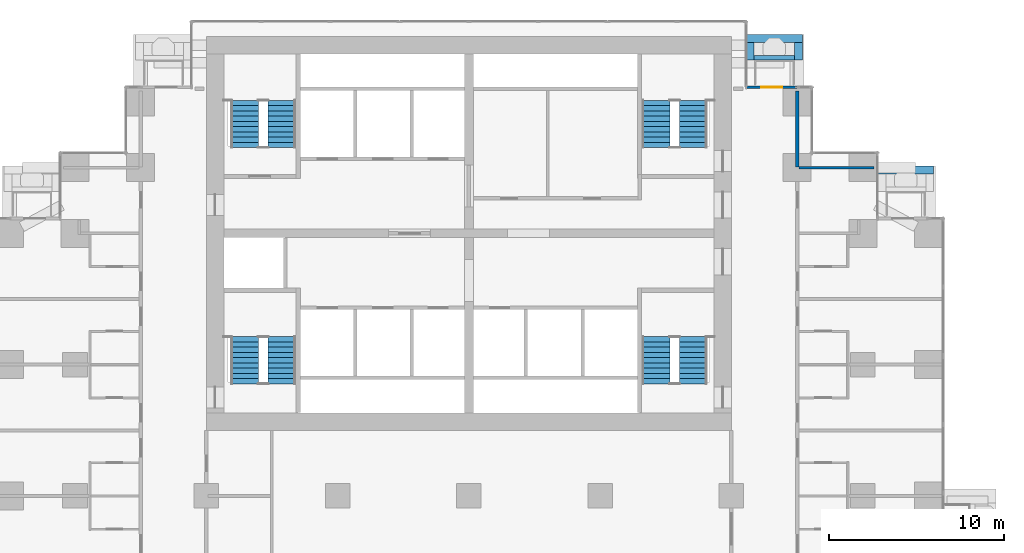
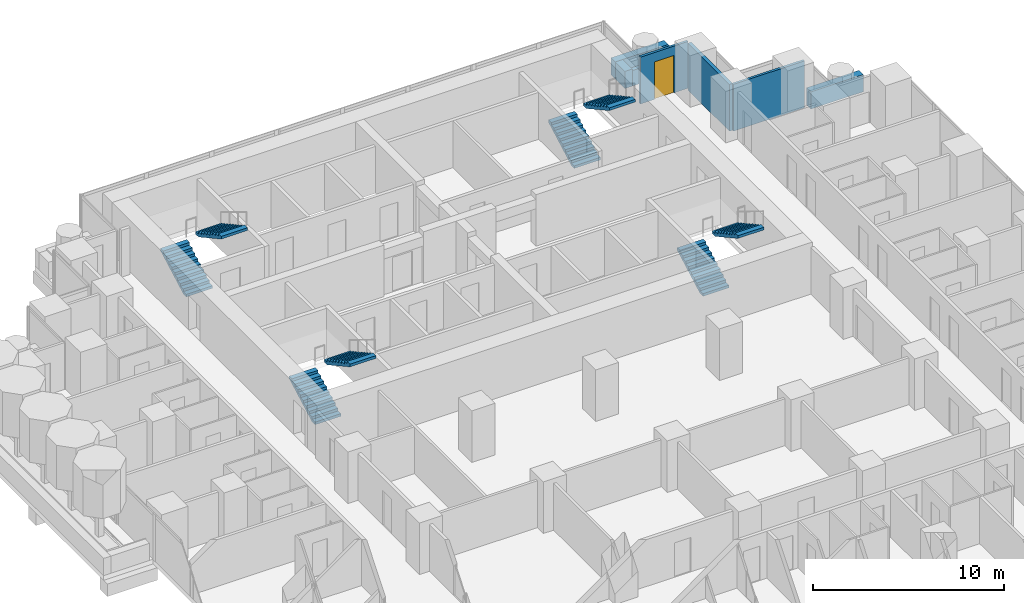
# One storey, part 15 of 18: 8 stair flights, 8 walls, 1 door, 1 opening, 4 elements without a shape of their own.
"""IFC4 building model written with IfcOpenShell, lengths in metres."""

from ifc_helpers import new_model, si_unit, direction, frame, frame_2d, origin, place, context, subcontext, project, spatial, polyline, rectangle, outline, extrude, material, layer, layer_set, type_object, element, fill, aggregate, save


model = new_model("IFC4")

# Units and contexts
model_context = context("Model", 3, precision=1e-05, world=origin(), true_north=direction((0.0, 1.0)))
body_context = subcontext(model_context, "Body", "Model", "MODEL_VIEW")
ifc_project = project(units=[si_unit("LENGTHUNIT", "METRE"), si_unit("AREAUNIT", "SQUARE_METRE"), si_unit("VOLUMEUNIT", "CUBIC_METRE"), si_unit("PLANEANGLEUNIT", "RADIAN"), si_unit("MASSUNIT", "GRAM", prefix="KILO")], contexts=[model_context])

# Site, building, storey
site_placement = place(None, origin())
site = spatial("IfcSite", under=ifc_project, at=site_placement, CompositionType="ELEMENT")
building_placement = place(site_placement, origin())
building = spatial("IfcBuilding", under=site, at=building_placement, Name="Pilkhan Gate Tower", CompositionType="ELEMENT")
storey_placement = place(building_placement, frame((0.0, 0.0, 42.800048828125)))
storey = spatial("IfcBuildingStorey", under=building, at=storey_placement, Name="L07", CompositionType="ELEMENT", Elevation=42.800048828125)

# Walls
ifc_material_1 = material(Name="Concrete C40/50", Category="concrete")
ifc_layer_1 = layer(ifc_material_1, 0.25)
ifc_layer_set_1 = layer_set([ifc_layer_1], Name="Balcony planter BP250")
wall_type_1 = type_object("IfcWallType", Name="Balcony planter BP250", PredefinedType="USERDEFINED", material=ifc_layer_set_1)
wall_1_placement = place(storey_placement, frame((91.300048828125, 92.52490234375, 0.0), z_axis=(0.0, 0.0, 1.0), x_axis=(1.0, 0.0, 0.0)))
element("IfcWall", 1, at=wall_1_placement, inside=storey, type_object=wall_type_1, Name="Balcony planter L07 N", ObjectType="BALCONY PLANTER", PredefinedType="USERDEFINED", context=body_context, shape_type="SweptSolid", body=[
    extrude(rectangle(XDim=2.300048828125, YDim=0.25, at=frame_2d((1.14990234375, 0.0))), origin(), (0.0, 0.0, 1.0), 1.0),
])
ifc_material_2 = material(Name="Board-marked Concrete C40/50", Category="concrete")
ifc_layer_2 = layer(ifc_material_2, 0.449951171875)
ifc_layer_set_2 = layer_set([ifc_layer_2], Name="Balcony planter lip BL450")
wall_type_2 = type_object("IfcWallType", Name="Balcony planter lip BL450", PredefinedType="USERDEFINED", material=ifc_layer_set_2)
wall_2_placement = place(storey_placement, frame((90.85009765625, 93.625, 0.0), z_axis=(0.0, 0.0, 1.0), x_axis=(1.0, 0.0, 0.0)))
element("IfcWall", 2, at=wall_2_placement, inside=storey, type_object=wall_type_2, Name="Balcony planter L07 N", ObjectType="BALCONY PLANTER", PredefinedType="USERDEFINED", context=body_context, shape_type="SweptSolid", body=[
    extrude(rectangle(XDim=3.199951171875, YDim=0.449951171875, at=frame_2d((1.60009765625, 0.0))), origin(), (0.0, 0.0, 1.0), 1.099853515625),
])
for number, where, z_axis, x_axis, name in (
    (3, (91.074951171875, 92.39990234375, 0.0), (0.0, 0.0, 1.0), (0.0, 1.0, 0.0), "Balcony planter L07 N"),
    (4, (93.824951171875, 92.39990234375, 0.0), (0.0, 0.0, 1.0), (0.0, 1.0, 0.0), "Balcony planter L07 N"),
):
    element("IfcWall", number, at=place(storey_placement, frame(where, z_axis=z_axis, x_axis=x_axis)), inside=storey, type_object=wall_type_2, Name=name, ObjectType="BALCONY PLANTER", PredefinedType="USERDEFINED", context=body_context, shape_type="SweptSolid", body=[
        extrude(rectangle(XDim=1.0, YDim=0.449951171875, at=frame_2d((0.5, 0.0))), origin(), (0.0, 0.0, 1.0), 1.099853515625),
    ])
wall_3_placement = place(storey_placement, frame((98.3701171875, 86.125, 0.0), z_axis=(0.0, 0.0, 1.0), x_axis=(1.0, 0.0, 0.0)))
element("IfcWall", 5, at=wall_3_placement, inside=storey, type_object=wall_type_2, Name="Balcony planter L07 N", ObjectType="BALCONY PLANTER", PredefinedType="USERDEFINED", context=body_context, shape_type="SweptSolid", body=[
    extrude(rectangle(XDim=3.179931640625, YDim=0.449951171875, at=frame_2d((1.58984375, 0.0))), origin(), (0.0, 0.0, 1.0), 1.099853515625),
])
ifc_material_3 = material(Name="Dense blockwork", Category="masonry")
ifc_layer_3 = layer(ifc_material_3, 0.199951171875)
ifc_layer_set_3 = layer_set([ifc_layer_3], Name="Corridor wall FW200")
wall_type_3 = type_object("IfcWallType", Name="Corridor wall FW200", PredefinedType="PARTITIONING", material=ifc_layer_set_3)
wall_4_placement = place(storey_placement, frame((93.75, 86.280029296875, 0.0), z_axis=(0.0, 0.0, 1.0), x_axis=(0.0, 1.0, 0.0)))
element("IfcWall", 6, at=wall_4_placement, inside=storey, type_object=wall_type_3, Name="Partition L07", PredefinedType="PARTITIONING", context=body_context, shape_type="SweptSolid", body=[
    extrude(rectangle(XDim=4.364990234375, YDim=0.199951171875, at=frame_2d((2.1826171875, 0.0))), origin(), (0.0, 0.0, 1.0), 3.0),
])

# Wall, opening, door
ifc_material_4 = material(Name="Pale anodised aluminium, clear laminated glazing", Category="aluminium")
ifc_layer_4 = layer(ifc_material_4, 0.14990234375)
ifc_layer_set_4 = layer_set([ifc_layer_4], Name="Facade infill wall IW150")
wall_type_4 = type_object("IfcWallType", Name="Facade infill wall IW150", PredefinedType="SOLIDWALL", material=ifc_layer_set_4)
wall_5_placement = place(storey_placement, frame((90.844970703125, 90.844970703125, 0.0), z_axis=(0.0, 0.0, 1.0), x_axis=(1.0, 0.0, 0.0)))
wall_5 = element("IfcWall", 7, at=wall_5_placement, inside=storey, type_object=wall_type_4, Name="Infill wall L07 N", PredefinedType="SOLIDWALL", context=body_context, shape_type="SweptSolid", body=[
    extrude(rectangle(XDim=2.905029296875, YDim=0.14990234375, at=frame_2d((1.45263671875, 0.0))), origin(), (0.0, 0.0, 1.0), 3.0),
])
opening_placement = place(wall_5_placement, frame((0.8525390625, 0.0, 0.0)))
opening = element("IfcOpeningElement", 8, at=opening_placement, cuts=wall_5, Name="Opening D1", PredefinedType="OPENING", context=body_context, shape_type="SweptSolid", body=[
    extrude(rectangle(XDim=1.199951171875, YDim=2.39990234375, at=frame_2d((0.60009765625, 1.199951171875))), frame((0.0, 0.0849609375, 0.0), z_axis=(0.0, -1.0, 0.0), x_axis=(1.0, 0.0, 0.0)), (0.0, 0.0, 1.0), 0.169921875),
])
ifc_material_5 = material(Name="Pale anodised aluminium, clear glazing", Category="aluminium")
door_type = type_object("IfcDoorType", Name="Balcony door D1 1200x2400", OperationType="SINGLE_SWING_LEFT", PredefinedType="DOOR", material=ifc_material_5)
door_placement = place(opening_placement, origin())
door = element("IfcDoor", 9, at=door_placement, inside=storey, type_object=door_type, Name="Balcony door L07", OperationType="SINGLE_SWING_LEFT", OverallHeight=2.39990234375, OverallWidth=1.199951171875, PredefinedType="DOOR", context=body_context, shape_type="SweptSolid", body=[
    extrude(rectangle(XDim=1.199951171875, YDim=2.39990234375, at=frame_2d((0.60009765625, 1.199951171875))), frame((0.0, 0.02490234375, 0.0), z_axis=(0.0, -1.0, 0.0), x_axis=(1.0, 0.0, 0.0)), (0.0, 0.0, 1.0), 0.050048828125),
])
fill(opening, door)

# Wall
ifc_material_6 = material(Name="Blockwork partition, plastered both sides", Category="masonry")
ifc_layer_5 = layer(ifc_material_6, 0.14990234375)
ifc_layer_set_5 = layer_set([ifc_layer_5], Name="Partition PW150")
wall_type_5 = type_object("IfcWallType", Name="Partition PW150", PredefinedType="PARTITIONING", material=ifc_layer_set_5)
wall_6_placement = place(storey_placement, frame((93.85009765625, 86.25, 0.0), z_axis=(0.0, 0.0, 1.0), x_axis=(1.0, 0.0, 0.0)))
element("IfcWall", 10, at=wall_6_placement, inside=storey, type_object=wall_type_5, Name="Partition L07", PredefinedType="PARTITIONING", context=body_context, shape_type="SweptSolid", body=[
    extrude(rectangle(XDim=4.294921875, YDim=0.14990234375, at=frame_2d((2.1474609375, 0.0))), origin(), (0.0, 0.0, 1.0), 3.0),
])

# Stair, stair flights
ifc_material_7 = material(Name="Concrete C40/50 precast", Category="concrete")
stair_type_1 = type_object("IfcStairType", Name="Stair ST1 165x300", PredefinedType="HALF_TURN_STAIR", material=ifc_material_7)
stair_1_placement = place(storey_placement, origin())
stair_1 = element("IfcStair", 11, at=stair_1_placement, inside=storey, type_object=stair_type_1, Name="Stair ST1 L07", PredefinedType="HALF_TURN_STAIR")
stair_flight_type_1 = type_object("IfcStairFlightType", Name="Stair flight ST1 165x300x10", PredefinedType="STRAIGHT", material=ifc_material_7)
stair_flight_1_placement = place(storey_placement, frame((85.68994140625, 73.89990234375, 0.0), z_axis=(0.0, 0.0, 1.0), x_axis=(0.0, 1.0, 0.0)))
stair_flight_1 = element("IfcStairFlight", 12, at=stair_flight_1_placement, type_object=stair_flight_type_1, Name="ST1 flight 1", NumberOfRisers=10, NumberOfTreads=9, PredefinedType="STRAIGHT", RiserHeight=0.165, TreadLength=0.3, context=body_context, shape_type="SweptSolid", body=[
    extrude(outline(polyline([(0.0, 0.0), (0.0, 0.1650390625), (0.300048828125, 0.1650390625), (0.300048828125, 0.330078125), (0.60009765625, 0.330078125), (0.60009765625, 0.4951171875), (0.89990234375, 0.4951171875), (0.89990234375, 0.659912109375), (1.199951171875, 0.659912109375), (1.199951171875, 0.824951171875), (1.5, 0.824951171875), (1.5, 0.989990234375), (1.800048828125, 0.989990234375), (1.800048828125, 1.155029296875), (2.10009765625, 1.155029296875), (2.10009765625, 1.320068359375), (2.39990234375, 1.320068359375), (2.39990234375, 1.485107421875), (2.699951171875, 1.485107421875), (2.699951171875, 1.64990234375), (2.699951171875, 1.31396484375), (0.31103515625, 0.0), (0.0, 0.0)])), frame((0.0, 0.7900390625, 0.0), z_axis=(0.0, -1.0, 0.0), x_axis=(1.0, 0.0, 0.0)), (0.0, 0.0, 1.0), 1.580078125),
])
stair_flight_2_placement = place(storey_placement, frame((87.81005859375, 76.60009765625, 1.64990234375), z_axis=(0.0, 0.0, 1.0), x_axis=(0.0, -1.0, 0.0)))
stair_flight_2 = element("IfcStairFlight", 13, at=stair_flight_2_placement, type_object=stair_flight_type_1, Name="ST1 flight 2", NumberOfRisers=10, NumberOfTreads=9, PredefinedType="STRAIGHT", RiserHeight=0.165, TreadLength=0.3, context=body_context, shape_type="SweptSolid", body=[
    extrude(outline(polyline([(0.0, 0.0), (0.0, 0.1650390625), (0.300048828125, 0.1650390625), (0.300048828125, 0.330078125), (0.60009765625, 0.330078125), (0.60009765625, 0.4951171875), (0.89990234375, 0.4951171875), (0.89990234375, 0.659912109375), (1.199951171875, 0.659912109375), (1.199951171875, 0.824951171875), (1.5, 0.824951171875), (1.5, 0.989990234375), (1.800048828125, 0.989990234375), (1.800048828125, 1.155029296875), (2.10009765625, 1.155029296875), (2.10009765625, 1.320068359375), (2.39990234375, 1.320068359375), (2.39990234375, 1.485107421875), (2.699951171875, 1.485107421875), (2.699951171875, 1.64990234375), (2.699951171875, 1.31396484375), (0.31103515625, 0.0), (0.0, 0.0)])), frame((0.0, 0.7900390625, 0.0), z_axis=(0.0, -1.0, 0.0), x_axis=(1.0, 0.0, 0.0)), (0.0, 0.0, 1.0), 1.580078125),
])
aggregate(stair_1, [stair_flight_1, stair_flight_2])

stair_type_2 = type_object("IfcStairType", Name="Stair ST2 165x300", PredefinedType="HALF_TURN_STAIR", material=ifc_material_7)
stair_2_placement = place(storey_placement, origin())
stair_2 = element("IfcStair", 14, at=stair_2_placement, inside=storey, type_object=stair_type_2, Name="Stair ST2 L07", PredefinedType="HALF_TURN_STAIR")
stair_flight_type_2 = type_object("IfcStairFlightType", Name="Stair flight ST2 165x300x10", PredefinedType="STRAIGHT", material=ifc_material_7)
stair_flight_3_placement = place(storey_placement, frame((62.18994140625, 73.89990234375, 0.0), z_axis=(0.0, 0.0, 1.0), x_axis=(0.0, 1.0, 0.0)))
stair_flight_3 = element("IfcStairFlight", 15, at=stair_flight_3_placement, type_object=stair_flight_type_2, Name="ST2 flight 1", NumberOfRisers=10, NumberOfTreads=9, PredefinedType="STRAIGHT", RiserHeight=0.165, TreadLength=0.3, context=body_context, shape_type="SweptSolid", body=[
    extrude(outline(polyline([(0.0, 0.0), (0.0, 0.1650390625), (0.300048828125, 0.1650390625), (0.300048828125, 0.330078125), (0.60009765625, 0.330078125), (0.60009765625, 0.4951171875), (0.89990234375, 0.4951171875), (0.89990234375, 0.659912109375), (1.199951171875, 0.659912109375), (1.199951171875, 0.824951171875), (1.5, 0.824951171875), (1.5, 0.989990234375), (1.800048828125, 0.989990234375), (1.800048828125, 1.155029296875), (2.10009765625, 1.155029296875), (2.10009765625, 1.320068359375), (2.39990234375, 1.320068359375), (2.39990234375, 1.485107421875), (2.699951171875, 1.485107421875), (2.699951171875, 1.64990234375), (2.699951171875, 1.31396484375), (0.31103515625, 0.0), (0.0, 0.0)])), frame((0.0, 0.7900390625, 0.0), z_axis=(0.0, -1.0, 0.0), x_axis=(1.0, 0.0, 0.0)), (0.0, 0.0, 1.0), 1.580078125),
])
stair_flight_4_placement = place(storey_placement, frame((64.31005859375, 76.60009765625, 1.64990234375), z_axis=(0.0, 0.0, 1.0), x_axis=(0.0, -1.0, 0.0)))
stair_flight_4 = element("IfcStairFlight", 16, at=stair_flight_4_placement, type_object=stair_flight_type_2, Name="ST2 flight 2", NumberOfRisers=10, NumberOfTreads=9, PredefinedType="STRAIGHT", RiserHeight=0.165, TreadLength=0.3, context=body_context, shape_type="SweptSolid", body=[
    extrude(outline(polyline([(0.0, 0.0), (0.0, 0.1650390625), (0.300048828125, 0.1650390625), (0.300048828125, 0.330078125), (0.60009765625, 0.330078125), (0.60009765625, 0.4951171875), (0.89990234375, 0.4951171875), (0.89990234375, 0.659912109375), (1.199951171875, 0.659912109375), (1.199951171875, 0.824951171875), (1.5, 0.824951171875), (1.5, 0.989990234375), (1.800048828125, 0.989990234375), (1.800048828125, 1.155029296875), (2.10009765625, 1.155029296875), (2.10009765625, 1.320068359375), (2.39990234375, 1.320068359375), (2.39990234375, 1.485107421875), (2.699951171875, 1.485107421875), (2.699951171875, 1.64990234375), (2.699951171875, 1.31396484375), (0.31103515625, 0.0), (0.0, 0.0)])), frame((0.0, 0.7900390625, 0.0), z_axis=(0.0, -1.0, 0.0), x_axis=(1.0, 0.0, 0.0)), (0.0, 0.0, 1.0), 1.580078125),
])
aggregate(stair_2, [stair_flight_3, stair_flight_4])

stair_type_3 = type_object("IfcStairType", Name="Stair ST3 165x300", PredefinedType="HALF_TURN_STAIR", material=ifc_material_7)
stair_3_placement = place(storey_placement, origin())
stair_3 = element("IfcStair", 17, at=stair_3_placement, inside=storey, type_object=stair_type_3, Name="Stair ST3 L07", PredefinedType="HALF_TURN_STAIR")
stair_flight_type_3 = type_object("IfcStairFlightType", Name="Stair flight ST3 165x300x10", PredefinedType="STRAIGHT", material=ifc_material_7)
stair_flight_5_placement = place(storey_placement, frame((62.18994140625, 87.39990234375, 0.0), z_axis=(0.0, 0.0, 1.0), x_axis=(0.0, 1.0, 0.0)))
stair_flight_5 = element("IfcStairFlight", 18, at=stair_flight_5_placement, type_object=stair_flight_type_3, Name="ST3 flight 1", NumberOfRisers=10, NumberOfTreads=9, PredefinedType="STRAIGHT", RiserHeight=0.165, TreadLength=0.3, context=body_context, shape_type="SweptSolid", body=[
    extrude(outline(polyline([(0.0, 0.0), (0.0, 0.1650390625), (0.300048828125, 0.1650390625), (0.300048828125, 0.330078125), (0.60009765625, 0.330078125), (0.60009765625, 0.4951171875), (0.89990234375, 0.4951171875), (0.89990234375, 0.659912109375), (1.199951171875, 0.659912109375), (1.199951171875, 0.824951171875), (1.5, 0.824951171875), (1.5, 0.989990234375), (1.800048828125, 0.989990234375), (1.800048828125, 1.155029296875), (2.10009765625, 1.155029296875), (2.10009765625, 1.320068359375), (2.39990234375, 1.320068359375), (2.39990234375, 1.485107421875), (2.699951171875, 1.485107421875), (2.699951171875, 1.64990234375), (2.699951171875, 1.31396484375), (0.31103515625, 0.0), (0.0, 0.0)])), frame((0.0, 0.7900390625, 0.0), z_axis=(0.0, -1.0, 0.0), x_axis=(1.0, 0.0, 0.0)), (0.0, 0.0, 1.0), 1.580078125),
])
stair_flight_6_placement = place(storey_placement, frame((64.31005859375, 90.10009765625, 1.64990234375), z_axis=(0.0, 0.0, 1.0), x_axis=(0.0, -1.0, 0.0)))
stair_flight_6 = element("IfcStairFlight", 19, at=stair_flight_6_placement, type_object=stair_flight_type_3, Name="ST3 flight 2", NumberOfRisers=10, NumberOfTreads=9, PredefinedType="STRAIGHT", RiserHeight=0.165, TreadLength=0.3, context=body_context, shape_type="SweptSolid", body=[
    extrude(outline(polyline([(0.0, 0.0), (0.0, 0.1650390625), (0.300048828125, 0.1650390625), (0.300048828125, 0.330078125), (0.60009765625, 0.330078125), (0.60009765625, 0.4951171875), (0.89990234375, 0.4951171875), (0.89990234375, 0.659912109375), (1.199951171875, 0.659912109375), (1.199951171875, 0.824951171875), (1.5, 0.824951171875), (1.5, 0.989990234375), (1.800048828125, 0.989990234375), (1.800048828125, 1.155029296875), (2.10009765625, 1.155029296875), (2.10009765625, 1.320068359375), (2.39990234375, 1.320068359375), (2.39990234375, 1.485107421875), (2.699951171875, 1.485107421875), (2.699951171875, 1.64990234375), (2.699951171875, 1.31396484375), (0.31103515625, 0.0), (0.0, 0.0)])), frame((0.0, 0.7900390625, 0.0), z_axis=(0.0, -1.0, 0.0), x_axis=(1.0, 0.0, 0.0)), (0.0, 0.0, 1.0), 1.580078125),
])
aggregate(stair_3, [stair_flight_5, stair_flight_6])

stair_type_4 = type_object("IfcStairType", Name="Stair ST4 165x300", PredefinedType="HALF_TURN_STAIR", material=ifc_material_7)
stair_4_placement = place(storey_placement, origin())
stair_4 = element("IfcStair", 20, at=stair_4_placement, inside=storey, type_object=stair_type_4, Name="Stair ST4 L07", PredefinedType="HALF_TURN_STAIR")
stair_flight_type_4 = type_object("IfcStairFlightType", Name="Stair flight ST4 165x300x10", PredefinedType="STRAIGHT", material=ifc_material_7)
stair_flight_7_placement = place(storey_placement, frame((85.68994140625, 87.39990234375, 0.0), z_axis=(0.0, 0.0, 1.0), x_axis=(0.0, 1.0, 0.0)))
stair_flight_7 = element("IfcStairFlight", 21, at=stair_flight_7_placement, type_object=stair_flight_type_4, Name="ST4 flight 1", NumberOfRisers=10, NumberOfTreads=9, PredefinedType="STRAIGHT", RiserHeight=0.165, TreadLength=0.3, context=body_context, shape_type="SweptSolid", body=[
    extrude(outline(polyline([(0.0, 0.0), (0.0, 0.1650390625), (0.300048828125, 0.1650390625), (0.300048828125, 0.330078125), (0.60009765625, 0.330078125), (0.60009765625, 0.4951171875), (0.89990234375, 0.4951171875), (0.89990234375, 0.659912109375), (1.199951171875, 0.659912109375), (1.199951171875, 0.824951171875), (1.5, 0.824951171875), (1.5, 0.989990234375), (1.800048828125, 0.989990234375), (1.800048828125, 1.155029296875), (2.10009765625, 1.155029296875), (2.10009765625, 1.320068359375), (2.39990234375, 1.320068359375), (2.39990234375, 1.485107421875), (2.699951171875, 1.485107421875), (2.699951171875, 1.64990234375), (2.699951171875, 1.31396484375), (0.31103515625, 0.0), (0.0, 0.0)])), frame((0.0, 0.7900390625, 0.0), z_axis=(0.0, -1.0, 0.0), x_axis=(1.0, 0.0, 0.0)), (0.0, 0.0, 1.0), 1.580078125),
])
stair_flight_8_placement = place(storey_placement, frame((87.81005859375, 90.10009765625, 1.64990234375), z_axis=(0.0, 0.0, 1.0), x_axis=(0.0, -1.0, 0.0)))
stair_flight_8 = element("IfcStairFlight", 22, at=stair_flight_8_placement, type_object=stair_flight_type_4, Name="ST4 flight 2", NumberOfRisers=10, NumberOfTreads=9, PredefinedType="STRAIGHT", RiserHeight=0.165, TreadLength=0.3, context=body_context, shape_type="SweptSolid", body=[
    extrude(outline(polyline([(0.0, 0.0), (0.0, 0.1650390625), (0.300048828125, 0.1650390625), (0.300048828125, 0.330078125), (0.60009765625, 0.330078125), (0.60009765625, 0.4951171875), (0.89990234375, 0.4951171875), (0.89990234375, 0.659912109375), (1.199951171875, 0.659912109375), (1.199951171875, 0.824951171875), (1.5, 0.824951171875), (1.5, 0.989990234375), (1.800048828125, 0.989990234375), (1.800048828125, 1.155029296875), (2.10009765625, 1.155029296875), (2.10009765625, 1.320068359375), (2.39990234375, 1.320068359375), (2.39990234375, 1.485107421875), (2.699951171875, 1.485107421875), (2.699951171875, 1.64990234375), (2.699951171875, 1.31396484375), (0.31103515625, 0.0), (0.0, 0.0)])), frame((0.0, 0.7900390625, 0.0), z_axis=(0.0, -1.0, 0.0), x_axis=(1.0, 0.0, 0.0)), (0.0, 0.0, 1.0), 1.580078125),
])
aggregate(stair_4, [stair_flight_7, stair_flight_8])

save(model, "model.ifc")
